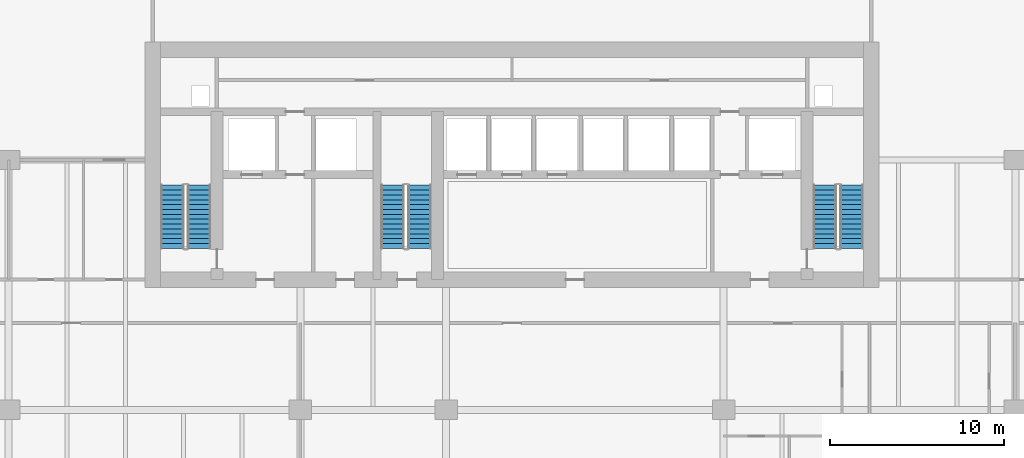
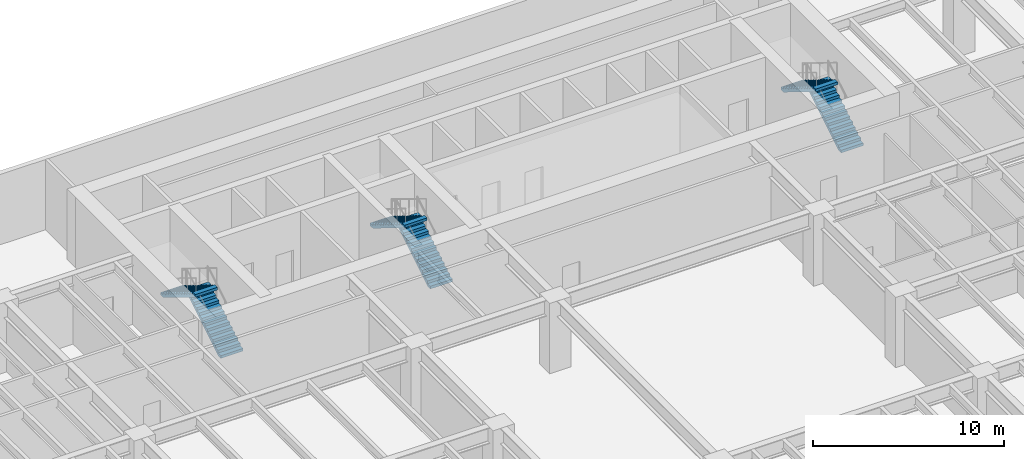
# One storey, part 10 of 13: 6 stair flights, 3 elements without a shape of their own.
"""IFC4 building model written with IfcOpenShell, lengths in metres."""

from ifc_helpers import new_model, si_unit, direction, frame, origin, place, context, subcontext, project, spatial, polyline, outline, extrude, material, type_object, element, aggregate, save


model = new_model("IFC4")

# Units and contexts
model_context = context("Model", 3, precision=1e-05, world=origin(), true_north=direction((0.0, 1.0)))
body_context = subcontext(model_context, "Body", "Model", "MODEL_VIEW")
ifc_project = project(units=[si_unit("LENGTHUNIT", "METRE"), si_unit("AREAUNIT", "SQUARE_METRE"), si_unit("VOLUMEUNIT", "CUBIC_METRE"), si_unit("PLANEANGLEUNIT", "RADIAN"), si_unit("MASSUNIT", "GRAM", prefix="KILO")], contexts=[model_context])

# Site, building, storey
site_placement = place(None, origin())
site = spatial("IfcSite", under=ifc_project, at=site_placement, CompositionType="ELEMENT")
building_placement = place(site_placement, origin())
building = spatial("IfcBuilding", under=site, at=building_placement, Name="Caelmar Bay Residences", CompositionType="ELEMENT")
storey_placement = place(building_placement, frame((0.0, 0.0, 5.39990234375)))
storey = spatial("IfcBuildingStorey", under=building, at=storey_placement, Name="L01", CompositionType="ELEMENT", Elevation=5.39990234375)

# Stair, stair flights
ifc_material_1 = material(Name="Concrete f'c 40 MPa (6,000 psi)", Category="concrete")
stair_type = type_object("IfcStairType", Name="ST-TAL-170", PredefinedType="HALF_TURN_STAIR", material=ifc_material_1)
stair_1_placement = place(storey_placement, origin())
stair_1 = element("IfcStair", 1, at=stair_1_placement, inside=storey, type_object=stair_type, Name="L01 West Smokeproof Exit Stair ST1", PredefinedType="HALF_TURN_STAIR")
ifc_material_2 = material(Name="Precast concrete f'c 40 MPa (6,000 psi)", Category="concrete")
stair_flight_type = type_object("IfcStairFlightType", Name="STF-1400", PredefinedType="STRAIGHT", material=ifc_material_2)
stair_flight_1_placement = place(storey_placement, frame((20.875, 38.699951171875, 0.0), z_axis=(0.0, 0.0, 1.0), x_axis=(0.0, 1.0, 0.0)))
stair_flight_1 = element("IfcStairFlight", 2, at=stair_flight_1_placement, type_object=stair_flight_type, Name="ST1 flight 1", NumberOfRisers=14, NumberOfTreads=13, PredefinedType="STRAIGHT", RiserHeight=0.171428571, TreadLength=0.28, context=body_context, shape_type="SweptSolid", body=[
    extrude(outline(polyline([(0.0, 0.0), (0.0, 0.17138671875), (0.280029296875, 0.17138671875), (0.280029296875, 0.3427734375), (0.56005859375, 0.3427734375), (0.56005859375, 0.514404296875), (0.840087890625, 0.514404296875), (0.840087890625, 0.685791015625), (1.1201171875, 0.685791015625), (1.1201171875, 0.857177734375), (1.39990234375, 0.857177734375), (1.39990234375, 1.028564453125), (1.679931640625, 1.028564453125), (1.679931640625, 1.199951171875), (1.9599609375, 1.199951171875), (1.9599609375, 1.371337890625), (2.239990234375, 1.371337890625), (2.239990234375, 1.54296875), (2.52001953125, 1.54296875), (2.52001953125, 1.71435546875), (2.800048828125, 1.71435546875), (2.800048828125, 1.8857421875), (3.080078125, 1.8857421875), (3.080078125, 2.05712890625), (3.360107421875, 2.05712890625), (3.360107421875, 2.228515625), (3.639892578125, 2.228515625), (3.639892578125, 2.39990234375), (3.639892578125, 2.052734375), (0.287109375, 0.0), (0.0, 0.0)])), frame((0.0, 0.675048828125, 0.0), z_axis=(0.0, -1.0, 0.0), x_axis=(1.0, 0.0, 0.0)), (0.0, 0.0, 1.0), 1.35009765625),
])
stair_flight_2_placement = place(storey_placement, frame((19.324951171875, 42.340087890625, 2.400146484375), z_axis=(0.0, 0.0, 1.0), x_axis=(0.0, -1.0, 0.0)))
stair_flight_2 = element("IfcStairFlight", 3, at=stair_flight_2_placement, type_object=stair_flight_type, Name="ST1 flight 2", NumberOfRisers=14, NumberOfTreads=13, PredefinedType="STRAIGHT", RiserHeight=0.171428571, TreadLength=0.28, context=body_context, shape_type="SweptSolid", body=[
    extrude(outline(polyline([(0.0, 0.0), (0.0, 0.17138671875), (0.280029296875, 0.17138671875), (0.280029296875, 0.3427734375), (0.56005859375, 0.3427734375), (0.56005859375, 0.514404296875), (0.840087890625, 0.514404296875), (0.840087890625, 0.685791015625), (1.1201171875, 0.685791015625), (1.1201171875, 0.857177734375), (1.39990234375, 0.857177734375), (1.39990234375, 1.028564453125), (1.679931640625, 1.028564453125), (1.679931640625, 1.199951171875), (1.9599609375, 1.199951171875), (1.9599609375, 1.371337890625), (2.239990234375, 1.371337890625), (2.239990234375, 1.54296875), (2.52001953125, 1.54296875), (2.52001953125, 1.71435546875), (2.800048828125, 1.71435546875), (2.800048828125, 1.8857421875), (3.080078125, 1.8857421875), (3.080078125, 2.05712890625), (3.360107421875, 2.05712890625), (3.360107421875, 2.228515625), (3.639892578125, 2.228515625), (3.639892578125, 2.39990234375), (3.639892578125, 2.052734375), (0.287109375, 0.0), (0.0, 0.0)])), frame((0.0, 0.675048828125, 0.0), z_axis=(0.0, -1.0, 0.0), x_axis=(1.0, 0.0, 0.0)), (0.0, 0.0, 1.0), 1.35009765625),
])
aggregate(stair_1, [stair_flight_1, stair_flight_2])

stair_2_placement = place(storey_placement, origin())
stair_2 = element("IfcStair", 4, at=stair_2_placement, inside=storey, type_object=stair_type, Name="L01 East Smokeproof Exit Stair ST2", PredefinedType="HALF_TURN_STAIR")
stair_flight_3_placement = place(storey_placement, frame((58.47509765625, 38.699951171875, 0.0), z_axis=(0.0, 0.0, 1.0), x_axis=(0.0, 1.0, 0.0)))
stair_flight_3 = element("IfcStairFlight", 5, at=stair_flight_3_placement, type_object=stair_flight_type, Name="ST2 flight 1", NumberOfRisers=14, NumberOfTreads=13, PredefinedType="STRAIGHT", RiserHeight=0.171428571, TreadLength=0.28, context=body_context, shape_type="SweptSolid", body=[
    extrude(outline(polyline([(0.0, 0.0), (0.0, 0.17138671875), (0.280029296875, 0.17138671875), (0.280029296875, 0.3427734375), (0.56005859375, 0.3427734375), (0.56005859375, 0.514404296875), (0.840087890625, 0.514404296875), (0.840087890625, 0.685791015625), (1.1201171875, 0.685791015625), (1.1201171875, 0.857177734375), (1.39990234375, 0.857177734375), (1.39990234375, 1.028564453125), (1.679931640625, 1.028564453125), (1.679931640625, 1.199951171875), (1.9599609375, 1.199951171875), (1.9599609375, 1.371337890625), (2.239990234375, 1.371337890625), (2.239990234375, 1.54296875), (2.52001953125, 1.54296875), (2.52001953125, 1.71435546875), (2.800048828125, 1.71435546875), (2.800048828125, 1.8857421875), (3.080078125, 1.8857421875), (3.080078125, 2.05712890625), (3.360107421875, 2.05712890625), (3.360107421875, 2.228515625), (3.639892578125, 2.228515625), (3.639892578125, 2.39990234375), (3.639892578125, 2.052734375), (0.287109375, 0.0), (0.0, 0.0)])), frame((0.0, 0.675048828125, 0.0), z_axis=(0.0, -1.0, 0.0), x_axis=(1.0, 0.0, 0.0)), (0.0, 0.0, 1.0), 1.35009765625),
])
stair_flight_4_placement = place(storey_placement, frame((56.925048828125, 42.340087890625, 2.400146484375), z_axis=(0.0, 0.0, 1.0), x_axis=(0.0, -1.0, 0.0)))
stair_flight_4 = element("IfcStairFlight", 6, at=stair_flight_4_placement, type_object=stair_flight_type, Name="ST2 flight 2", NumberOfRisers=14, NumberOfTreads=13, PredefinedType="STRAIGHT", RiserHeight=0.171428571, TreadLength=0.28, context=body_context, shape_type="SweptSolid", body=[
    extrude(outline(polyline([(0.0, 0.0), (0.0, 0.17138671875), (0.280029296875, 0.17138671875), (0.280029296875, 0.3427734375), (0.56005859375, 0.3427734375), (0.56005859375, 0.514404296875), (0.840087890625, 0.514404296875), (0.840087890625, 0.685791015625), (1.1201171875, 0.685791015625), (1.1201171875, 0.857177734375), (1.39990234375, 0.857177734375), (1.39990234375, 1.028564453125), (1.679931640625, 1.028564453125), (1.679931640625, 1.199951171875), (1.9599609375, 1.199951171875), (1.9599609375, 1.371337890625), (2.239990234375, 1.371337890625), (2.239990234375, 1.54296875), (2.52001953125, 1.54296875), (2.52001953125, 1.71435546875), (2.800048828125, 1.71435546875), (2.800048828125, 1.8857421875), (3.080078125, 1.8857421875), (3.080078125, 2.05712890625), (3.360107421875, 2.05712890625), (3.360107421875, 2.228515625), (3.639892578125, 2.228515625), (3.639892578125, 2.39990234375), (3.639892578125, 2.052734375), (0.287109375, 0.0), (0.0, 0.0)])), frame((0.0, 0.675048828125, 0.0), z_axis=(0.0, -1.0, 0.0), x_axis=(1.0, 0.0, 0.0)), (0.0, 0.0, 1.0), 1.35009765625),
])
aggregate(stair_2, [stair_flight_3, stair_flight_4])

stair_3_placement = place(storey_placement, origin())
stair_3 = element("IfcStair", 7, at=stair_3_placement, inside=storey, type_object=stair_type, Name="L01 Central Smokeproof Exit Stair ST3", PredefinedType="HALF_TURN_STAIR")
stair_flight_5_placement = place(storey_placement, frame((33.574951171875, 38.699951171875, 0.0), z_axis=(0.0, 0.0, 1.0), x_axis=(0.0, 1.0, 0.0)))
stair_flight_5 = element("IfcStairFlight", 8, at=stair_flight_5_placement, type_object=stair_flight_type, Name="ST3 flight 1", NumberOfRisers=14, NumberOfTreads=13, PredefinedType="STRAIGHT", RiserHeight=0.171428571, TreadLength=0.28, context=body_context, shape_type="SweptSolid", body=[
    extrude(outline(polyline([(0.0, 0.0), (0.0, 0.17138671875), (0.280029296875, 0.17138671875), (0.280029296875, 0.3427734375), (0.56005859375, 0.3427734375), (0.56005859375, 0.514404296875), (0.840087890625, 0.514404296875), (0.840087890625, 0.685791015625), (1.1201171875, 0.685791015625), (1.1201171875, 0.857177734375), (1.39990234375, 0.857177734375), (1.39990234375, 1.028564453125), (1.679931640625, 1.028564453125), (1.679931640625, 1.199951171875), (1.9599609375, 1.199951171875), (1.9599609375, 1.371337890625), (2.239990234375, 1.371337890625), (2.239990234375, 1.54296875), (2.52001953125, 1.54296875), (2.52001953125, 1.71435546875), (2.800048828125, 1.71435546875), (2.800048828125, 1.8857421875), (3.080078125, 1.8857421875), (3.080078125, 2.05712890625), (3.360107421875, 2.05712890625), (3.360107421875, 2.228515625), (3.639892578125, 2.228515625), (3.639892578125, 2.39990234375), (3.639892578125, 2.052734375), (0.287109375, 0.0), (0.0, 0.0)])), frame((0.0, 0.675048828125, 0.0), z_axis=(0.0, -1.0, 0.0), x_axis=(1.0, 0.0, 0.0)), (0.0, 0.0, 1.0), 1.35009765625),
])
stair_flight_6_placement = place(storey_placement, frame((32.02490234375, 42.340087890625, 2.400146484375), z_axis=(0.0, 0.0, 1.0), x_axis=(0.0, -1.0, 0.0)))
stair_flight_6 = element("IfcStairFlight", 9, at=stair_flight_6_placement, type_object=stair_flight_type, Name="ST3 flight 2", NumberOfRisers=14, NumberOfTreads=13, PredefinedType="STRAIGHT", RiserHeight=0.171428571, TreadLength=0.28, context=body_context, shape_type="SweptSolid", body=[
    extrude(outline(polyline([(0.0, 0.0), (0.0, 0.17138671875), (0.280029296875, 0.17138671875), (0.280029296875, 0.3427734375), (0.56005859375, 0.3427734375), (0.56005859375, 0.514404296875), (0.840087890625, 0.514404296875), (0.840087890625, 0.685791015625), (1.1201171875, 0.685791015625), (1.1201171875, 0.857177734375), (1.39990234375, 0.857177734375), (1.39990234375, 1.028564453125), (1.679931640625, 1.028564453125), (1.679931640625, 1.199951171875), (1.9599609375, 1.199951171875), (1.9599609375, 1.371337890625), (2.239990234375, 1.371337890625), (2.239990234375, 1.54296875), (2.52001953125, 1.54296875), (2.52001953125, 1.71435546875), (2.800048828125, 1.71435546875), (2.800048828125, 1.8857421875), (3.080078125, 1.8857421875), (3.080078125, 2.05712890625), (3.360107421875, 2.05712890625), (3.360107421875, 2.228515625), (3.639892578125, 2.228515625), (3.639892578125, 2.39990234375), (3.639892578125, 2.052734375), (0.287109375, 0.0), (0.0, 0.0)])), frame((0.0, 0.675048828125, 0.0), z_axis=(0.0, -1.0, 0.0), x_axis=(1.0, 0.0, 0.0)), (0.0, 0.0, 1.0), 1.35009765625),
])
aggregate(stair_3, [stair_flight_5, stair_flight_6])

save(model, "model.ifc")
